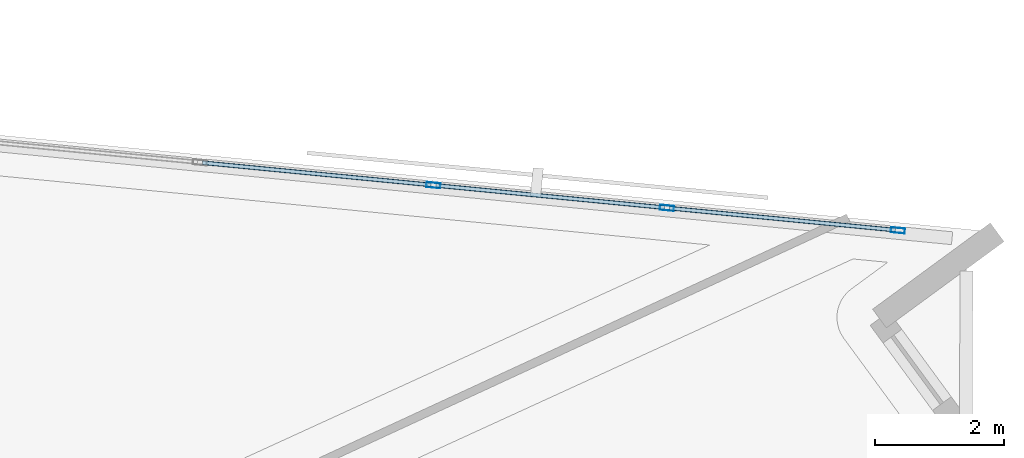
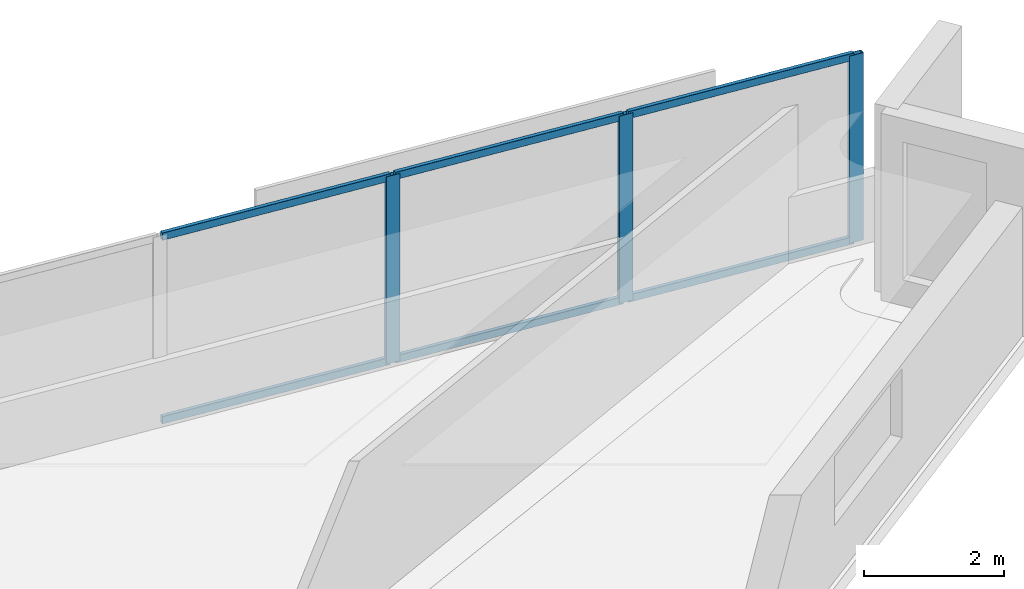
# One storey, part 6 of 13: 9 members, 1 element without a shape of its own.
"""IFC4 building model written with IfcOpenShell, lengths in metres."""

import ifcopenshell
import ifcopenshell.guid

model = None  # the IFC model being written
_history = None  # IfcOwnerHistory: only IFC2X3 demands one
_inside = {}  # id of a spatial element -> (the spatial element, [elements in it])
_under = {}  # id of a project, library or spatial element -> (it, [spatial elements below it])
_declared = {}  # id of a project -> (the project, [libraries it declares])
_typed = {}  # id of a type object -> (the type object, [elements of that type])
_made_of = {}  # id of a material, layer set ... -> (it, [elements and type objects made of it])


def new_model(schema):
    """Start an empty IFC model of exactly this schema.

    Asked for "IFC4X3", IfcOpenShell would pick the latest addendum, in which some entities
    have other attributes; the version numbers below select the first issue.
    IFC2X3 requires an IfcOwnerHistory on every rooted entity: one is made here for all.
    """
    global model, _history
    if schema == "IFC4X3":
        model = ifcopenshell.file(schema_version=(4, 3, 0, 0))
    else:
        model = ifcopenshell.file(schema=schema)
    _inside.clear()
    _under.clear()
    _declared.clear()
    _typed.clear()
    _made_of.clear()
    _history = None
    if model.schema == "IFC2X3":
        org = make("IfcOrganization", Name="unknown")
        user = make(
            "IfcPersonAndOrganization",
            ThePerson=make("IfcPerson", FamilyName="unknown"),
            TheOrganization=org,
        )
        app = make(
            "IfcApplication",
            ApplicationDeveloper=org,
            Version="unknown",
            ApplicationFullName="unknown",
            ApplicationIdentifier="unknown",
        )
        _history = make(
            "IfcOwnerHistory",
            OwningUser=user,
            OwningApplication=app,
            ChangeAction="ADDED",
            CreationDate=0,
        )
    return model


def make(cls, **values):
    """One entity of the class cls with the attributes given. An attribute that is None is left unset."""
    return model.create_entity(
        cls, **{name: value for name, value in values.items() if value is not None}
    )


def rooted(cls, **values):
    """An entity with a GlobalId (a new one), such as an element, a storey or a relation."""
    return make(cls, GlobalId=ifcopenshell.guid.new(), OwnerHistory=_history, **values)


def si_unit(unit_type, name, prefix=None):
    """IfcSIUnit, for example si_unit("LENGTHUNIT", "METRE", prefix="MILLI")."""
    return make("IfcSIUnit", UnitType=unit_type, Prefix=prefix, Name=name)


def assignment(units):
    """IfcUnitAssignment: the units of a project."""
    return None if units is None else make("IfcUnitAssignment", Units=units)


def point(xyz):
    """IfcCartesianPoint."""
    return None if xyz is None else make("IfcCartesianPoint", Coordinates=xyz)


def direction(xyz):
    """IfcDirection."""
    return None if xyz is None else make("IfcDirection", DirectionRatios=xyz)


def frame(location, z_axis=None, x_axis=None):
    """IfcAxis2Placement3D, a coordinate frame: its origin and axes. An axis left out is left unset."""
    return make(
        "IfcAxis2Placement3D",
        Location=point(location),
        Axis=direction(z_axis),
        RefDirection=direction(x_axis),
    )


def frame_2d(location, x_axis=None):
    """IfcAxis2Placement2D, a coordinate frame in the plane: its origin and x axis."""
    return make(
        "IfcAxis2Placement2D", Location=point(location), RefDirection=direction(x_axis)
    )


def origin():
    """The frame at (0, 0, 0) with its axes left unset."""
    return frame((0.0, 0.0, 0.0))


def origin_2d():
    """The frame at (0, 0) in the plane with its x axis left unset."""
    return frame_2d((0.0, 0.0))


def place(relative_to, where):
    """IfcLocalPlacement: puts the frame where relative to a parent placement (None: the world)."""
    return make(
        "IfcLocalPlacement", PlacementRelTo=relative_to, RelativePlacement=where
    )


def context(
    kind, dimensions, precision=None, world=None, true_north=None, identifier=None
):
    """IfcGeometricRepresentationContext, for example the 3D "Model" context."""
    return make(
        "IfcGeometricRepresentationContext",
        ContextIdentifier=identifier,
        ContextType=kind,
        CoordinateSpaceDimension=dimensions,
        Precision=precision,
        WorldCoordinateSystem=world,
        TrueNorth=true_north,
    )


def subcontext(parent, identifier, kind, view, scale=None):
    """IfcGeometricRepresentationSubContext, for example "Body" below "Model"."""
    return make(
        "IfcGeometricRepresentationSubContext",
        ContextIdentifier=identifier,
        ContextType=kind,
        ParentContext=parent,
        TargetScale=scale,
        TargetView=view,
    )


def project(units=None, contexts=None):
    """IfcProject with its units and contexts."""
    return rooted(
        "IfcProject",
        Name="project",
        RepresentationContexts=contexts,
        UnitsInContext=assignment(units),
    )


def spatial(cls, under=None, at=None, **own):
    """A site, building, storey or space (cls), placed at a placement, below another one or the project."""
    s = rooted(cls, ObjectPlacement=at, **own)
    if under is not None:
        _under.setdefault(under.id(), (under, []))[1].append(s)
    return s


def profile(cls, at=None, kind="AREA", **sizes):
    """A parametric profile (cls). Its sizes go by their IFC names, for example OverallWidth=200.0."""
    return make(cls, ProfileType=kind, Position=at, **sizes)


def hollow_rectangle(**sizes):
    """IfcRectangleHollowProfileDef."""
    return profile("IfcRectangleHollowProfileDef", **sizes)


def extrude(swept, where, along, depth):
    """IfcExtrudedAreaSolid: the profile swept, set in the frame where, extruded along a direction by depth."""
    return make(
        "IfcExtrudedAreaSolid",
        SweptArea=swept,
        Position=where,
        ExtrudedDirection=direction(along),
        Depth=depth,
    )


def shape(context_of_items, identifier, shape_type, items):
    """IfcShapeRepresentation: the items that make up one representation, for example the "Body"."""
    return make(
        "IfcShapeRepresentation",
        ContextOfItems=context_of_items,
        RepresentationIdentifier=identifier,
        RepresentationType=shape_type,
        Items=items,
    )


def material(Name=None, Category=None):
    """IfcMaterial."""
    return make("IfcMaterial", Name=Name, Category=Category)


def material_profile(
    of_material, cross_section, Name=None, Category=None, Priority=None
):
    """IfcMaterialProfile: a cross section and its material."""
    return make(
        "IfcMaterialProfile",
        Name=Name,
        Material=of_material,
        Profile=cross_section,
        Priority=Priority,
        Category=Category,
    )


def profile_set(profiles, Name=None, composite=None):
    """IfcMaterialProfileSet."""
    return make(
        "IfcMaterialProfileSet",
        Name=Name,
        MaterialProfiles=profiles,
        CompositeProfile=composite,
    )


def made_of(thing, what):
    """Note that an element or type object is made of a material, layer set ...; save() writes the relation."""
    if what is not None:
        _made_of.setdefault(what.id(), (what, []))[1].append(thing)
    return thing


def type_object(cls, material=None, **own):
    """A type object (cls), such as IfcWallType, which elements share."""
    return made_of(rooted(cls, **own), material)


def element(
    cls,
    number,
    at=None,
    inside=None,
    cuts=None,
    type_object=None,
    material=None,
    context=None,
    identifier="Body",
    shape_type=None,
    held_by="IfcProductDefinitionShape",
    body=None,
    shapes=None,
    **own,
):
    """One element of the class cls, such as IfcWall. Its Tag is "e" and its number.

    at: its placement. inside: the storey or other place that contains it. cuts: it is an
    opening in that element (IfcRelVoidsElement). A single representation is given by context,
    identifier, shape_type and body (its items); several are given by shapes. held_by: the class
    of the entity that holds the representations. save() writes the other relations.
    """
    e = rooted(cls, Tag="e%d" % number, ObjectPlacement=at, **own)
    if body is not None:
        shapes = [shape(context, identifier, shape_type, body)]
    if shapes is not None:
        e.Representation = make(held_by, Representations=shapes)
    if inside is not None:
        _inside.setdefault(inside.id(), (inside, []))[1].append(e)
    if cuts is not None:
        rooted(
            "IfcRelVoidsElement", RelatingBuildingElement=cuts, RelatedOpeningElement=e
        )
    if type_object is not None:
        _typed.setdefault(type_object.id(), (type_object, []))[1].append(e)
    return made_of(e, material)


def aggregate(whole, parts):
    """IfcRelAggregates: a whole, such as a stair, and the parts it consists of."""
    return rooted("IfcRelAggregates", RelatingObject=whole, RelatedObjects=parts)


def save(model, path):
    """Write the relations noted so far, then the file.

    IfcRelAggregates (storeys below a building ...), IfcRelContainedInSpatialStructure (elements
    in a storey), IfcRelDefinesByType, IfcRelAssociatesMaterial and IfcRelDeclares: one each for
    every whole, place, type object, material and project.
    """
    for whole, parts in _under.values():
        aggregate(whole, parts)
    for where, things in _inside.values():
        rooted(
            "IfcRelContainedInSpatialStructure",
            RelatedElements=things,
            RelatingStructure=where,
        )
    for kind, things in _typed.values():
        rooted("IfcRelDefinesByType", RelatedObjects=things, RelatingType=kind)
    for what, things in _made_of.values():
        rooted("IfcRelAssociatesMaterial", RelatedObjects=things, RelatingMaterial=what)
    for by, libraries in _declared.values():
        rooted("IfcRelDeclares", RelatingContext=by, RelatedDefinitions=libraries)
    model.write(path)


model = new_model("IFC4")

# Units and contexts
model_context = context("Model", 3, precision=1e-05, world=origin(), true_north=direction((0.0, 1.0)))
body_context = subcontext(model_context, "Body", "Model", "MODEL_VIEW")
ifc_project = project(units=[si_unit("LENGTHUNIT", "METRE"), si_unit("AREAUNIT", "SQUARE_METRE"), si_unit("VOLUMEUNIT", "CUBIC_METRE"), si_unit("PLANEANGLEUNIT", "RADIAN"), si_unit("MASSUNIT", "GRAM", prefix="KILO")], contexts=[model_context])

# Site, building, storey
site_placement = place(None, origin())
site = spatial("IfcSite", under=ifc_project, at=site_placement, CompositionType="ELEMENT")
building_placement = place(site_placement, origin())
building = spatial("IfcBuilding", under=site, at=building_placement, Name="Narakoshi Arena Tower", CompositionType="ELEMENT")
storey_placement = place(building_placement, frame((0.0, 0.0, 239.6201171875)))
storey = spatial("IfcBuildingStorey", under=building, at=storey_placement, Name="L65", CompositionType="ELEMENT", Elevation=239.6201171875)

# Curtain wall, members
ifc_material = material(Name="Anodised bronze aluminium 6063-T6", Category="aluminium")
curtain_wall_type = type_object("IfcCurtainWallType", Name="CW-HYP-HIGH", PredefinedType="NOTDEFINED", material=ifc_material)
curtain_wall_placement = place(storey_placement, origin())
curtain_wall = element("IfcCurtainWall", 1, at=curtain_wall_placement, inside=storey, type_object=curtain_wall_type, Name="L65 Folded Hypotenuse Curtain Wall 1-1", PredefinedType="NOTDEFINED")
ifc_material_profile_1 = material_profile(ifc_material, hollow_rectangle(XDim=0.080078125, YDim=0.219970703125, WallThickness=0.0048828125, OuterFilletRadius=0.006103515625, at=origin_2d()), Name="MUL220x80x5")
ifc_profile_set_1 = profile_set([ifc_material_profile_1], Name="Anodised bronze aluminium 6063-T6")
member_type_1 = type_object("IfcMemberType", Name="MEM-MUL-220", PredefinedType="MULLION", material=ifc_profile_set_1)
member_1_placement = place(storey_placement, frame((112.25048828125, 60.418701171875, 0.0), z_axis=(0.0, 0.0, 1.0), x_axis=(-0.096851320996, -0.995298860454, 0.0)))
member_1 = element("IfcMember", 2, at=member_1_placement, type_object=member_type_1, Name="CW-03 mullion 1", PredefinedType="MULLION", context=body_context, shape_type="SweptSolid", body=[
    extrude(hollow_rectangle(XDim=0.080078125, YDim=0.219970703125, WallThickness=0.0048828125, OuterFilletRadius=0.006103515625, at=origin_2d()), origin(), (0.0, 0.0, 1.0), 3.259765625),
])
member_2_placement = place(storey_placement, frame((108.65869140625, 60.768310546875, 0.0), z_axis=(0.0, 0.0, 1.0), x_axis=(-0.096851320996, -0.995298860454, 0.0)))
member_2 = element("IfcMember", 3, at=member_2_placement, type_object=member_type_1, Name="CW-03 mullion 2", PredefinedType="MULLION", context=body_context, shape_type="SweptSolid", body=[
    extrude(hollow_rectangle(XDim=0.080078125, YDim=0.219970703125, WallThickness=0.0048828125, OuterFilletRadius=0.006103515625, at=origin_2d()), origin(), (0.0, 0.0, 1.0), 3.259765625),
])
member_3_placement = place(storey_placement, frame((105.027099609375, 61.12158203125, 0.0), z_axis=(0.0, 0.0, 1.0), x_axis=(-0.096851320996, -0.995298860454, 0.0)))
member_3 = element("IfcMember", 4, at=member_3_placement, type_object=member_type_1, Name="CW-03 mullion 3", PredefinedType="MULLION", context=body_context, shape_type="SweptSolid", body=[
    extrude(hollow_rectangle(XDim=0.080078125, YDim=0.219970703125, WallThickness=0.0048828125, OuterFilletRadius=0.006103515625, at=origin_2d()), origin(), (0.0, 0.0, 1.0), 3.259765625),
])
ifc_material_profile_2 = material_profile(ifc_material, hollow_rectangle(XDim=0.06494140625, YDim=0.1298828125, WallThickness=0.00390625, OuterFilletRadius=0.0048828125, at=origin_2d()), Name="TRN130x65x4")
ifc_profile_set_2 = profile_set([ifc_material_profile_2], Name="Anodised bronze aluminium 6063-T6")
member_type_2 = type_object("IfcMemberType", Name="MEM-TRN-130", PredefinedType="USERDEFINED", material=ifc_profile_set_2)
member_4_placement = place(storey_placement, frame((112.210693359375, 60.422607421875, 0.032470703125), z_axis=(-0.995298087829, 0.096859260598, 0.0), x_axis=(-0.096859260598, -0.995298087829, 0.0)))
member_4 = element("IfcMember", 5, at=member_4_placement, type_object=member_type_2, Name="CW-03 transom 1.1", ObjectType="TRANSOM", PredefinedType="USERDEFINED", context=body_context, shape_type="SweptSolid", body=[
    extrude(hollow_rectangle(XDim=0.06494140625, YDim=0.1298828125, WallThickness=0.00390625, OuterFilletRadius=0.0048828125, at=origin_2d()), origin(), (0.0, 0.0, 1.0), 3.52880859375),
])
member_5_placement = place(storey_placement, frame((112.210693359375, 60.422607421875, 3.227294921875), z_axis=(-0.995298087829, 0.096859260598, 0.0), x_axis=(-0.096859260598, -0.995298087829, 0.0)))
member_5 = element("IfcMember", 6, at=member_5_placement, type_object=member_type_2, Name="CW-03 transom 1.2", ObjectType="TRANSOM", PredefinedType="USERDEFINED", context=body_context, shape_type="SweptSolid", body=[
    extrude(hollow_rectangle(XDim=0.06494140625, YDim=0.1298828125, WallThickness=0.00390625, OuterFilletRadius=0.0048828125, at=origin_2d()), origin(), (0.0, 0.0, 1.0), 3.52880859375),
])
member_6_placement = place(storey_placement, frame((108.618896484375, 60.772216796875, 0.032470703125), z_axis=(-0.995303775278, 0.096800800194, 0.0), x_axis=(-0.096800800194, -0.995303775278, 0.0)))
member_6 = element("IfcMember", 7, at=member_6_placement, type_object=member_type_2, Name="CW-03 transom 2.1", ObjectType="TRANSOM", PredefinedType="USERDEFINED", context=body_context, shape_type="SweptSolid", body=[
    extrude(hollow_rectangle(XDim=0.06494140625, YDim=0.1298828125, WallThickness=0.00390625, OuterFilletRadius=0.0048828125, at=origin_2d()), origin(), (0.0, 0.0, 1.0), 3.56884765625),
])
member_7_placement = place(storey_placement, frame((108.618896484375, 60.772216796875, 3.227294921875), z_axis=(-0.995303775278, 0.096800800194, 0.0), x_axis=(-0.096800800194, -0.995303775278, 0.0)))
member_7 = element("IfcMember", 8, at=member_7_placement, type_object=member_type_2, Name="CW-03 transom 2.2", ObjectType="TRANSOM", PredefinedType="USERDEFINED", context=body_context, shape_type="SweptSolid", body=[
    extrude(hollow_rectangle(XDim=0.06494140625, YDim=0.1298828125, WallThickness=0.00390625, OuterFilletRadius=0.0048828125, at=origin_2d()), origin(), (0.0, 0.0, 1.0), 3.56884765625),
])
member_8_placement = place(storey_placement, frame((104.9873046875, 61.12548828125, 0.032470703125), z_axis=(-0.995297181926, 0.096868568947, 0.0), x_axis=(-0.096868568947, -0.995297181926, 0.0)))
member_8 = element("IfcMember", 9, at=member_8_placement, type_object=member_type_2, Name="CW-03 transom 3.1", ObjectType="TRANSOM", PredefinedType="USERDEFINED", context=body_context, shape_type="SweptSolid", body=[
    extrude(hollow_rectangle(XDim=0.06494140625, YDim=0.1298828125, WallThickness=0.00390625, OuterFilletRadius=0.0048828125, at=origin_2d()), origin(), (0.0, 0.0, 1.0), 3.56884765625),
])
member_9_placement = place(storey_placement, frame((104.9873046875, 61.12548828125, 3.227294921875), z_axis=(-0.995297181926, 0.096868568947, 0.0), x_axis=(-0.096868568947, -0.995297181926, 0.0)))
member_9 = element("IfcMember", 10, at=member_9_placement, type_object=member_type_2, Name="CW-03 transom 3.2", ObjectType="TRANSOM", PredefinedType="USERDEFINED", context=body_context, shape_type="SweptSolid", body=[
    extrude(hollow_rectangle(XDim=0.06494140625, YDim=0.1298828125, WallThickness=0.00390625, OuterFilletRadius=0.0048828125, at=origin_2d()), origin(), (0.0, 0.0, 1.0), 3.56884765625),
])
aggregate(curtain_wall, [member_1, member_2, member_3, member_4, member_5, member_6, member_7, member_8, member_9])

save(model, "model.ifc")
